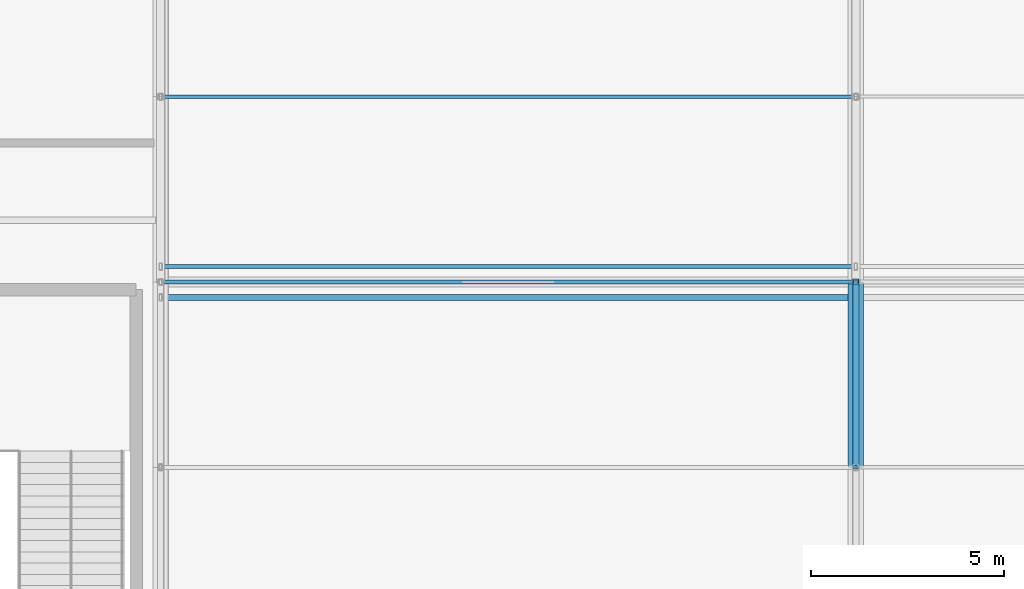
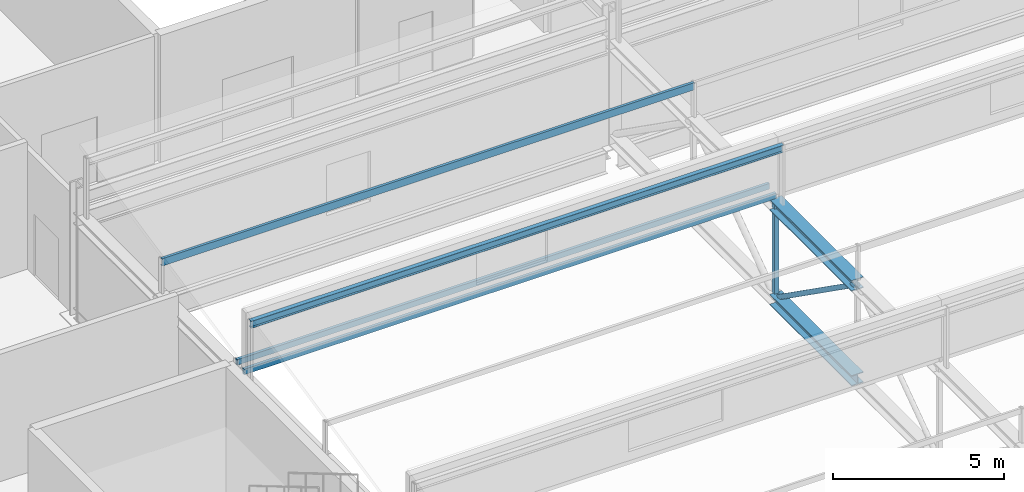
# One storey, part 42 of 136: 6 members, 2 beams.
"""IFC4 building model written with IfcOpenShell, lengths in metres."""

import ifcopenshell
import ifcopenshell.guid

model = None  # the IFC model being written
_history = None  # IfcOwnerHistory: only IFC2X3 demands one
_inside = {}  # id of a spatial element -> (the spatial element, [elements in it])
_under = {}  # id of a project, library or spatial element -> (it, [spatial elements below it])
_declared = {}  # id of a project -> (the project, [libraries it declares])
_typed = {}  # id of a type object -> (the type object, [elements of that type])
_made_of = {}  # id of a material, layer set ... -> (it, [elements and type objects made of it])


def new_model(schema):
    """Start an empty IFC model of exactly this schema.

    Asked for "IFC4X3", IfcOpenShell would pick the latest addendum, in which some entities
    have other attributes; the version numbers below select the first issue.
    IFC2X3 requires an IfcOwnerHistory on every rooted entity: one is made here for all.
    """
    global model, _history
    if schema == "IFC4X3":
        model = ifcopenshell.file(schema_version=(4, 3, 0, 0))
    else:
        model = ifcopenshell.file(schema=schema)
    _inside.clear()
    _under.clear()
    _declared.clear()
    _typed.clear()
    _made_of.clear()
    _history = None
    if model.schema == "IFC2X3":
        org = make("IfcOrganization", Name="unknown")
        user = make(
            "IfcPersonAndOrganization",
            ThePerson=make("IfcPerson", FamilyName="unknown"),
            TheOrganization=org,
        )
        app = make(
            "IfcApplication",
            ApplicationDeveloper=org,
            Version="unknown",
            ApplicationFullName="unknown",
            ApplicationIdentifier="unknown",
        )
        _history = make(
            "IfcOwnerHistory",
            OwningUser=user,
            OwningApplication=app,
            ChangeAction="ADDED",
            CreationDate=0,
        )
    return model


def make(cls, **values):
    """One entity of the class cls with the attributes given. An attribute that is None is left unset."""
    return model.create_entity(
        cls, **{name: value for name, value in values.items() if value is not None}
    )


def rooted(cls, **values):
    """An entity with a GlobalId (a new one), such as an element, a storey or a relation."""
    return make(cls, GlobalId=ifcopenshell.guid.new(), OwnerHistory=_history, **values)


def si_unit(unit_type, name, prefix=None):
    """IfcSIUnit, for example si_unit("LENGTHUNIT", "METRE", prefix="MILLI")."""
    return make("IfcSIUnit", UnitType=unit_type, Prefix=prefix, Name=name)


def assignment(units):
    """IfcUnitAssignment: the units of a project."""
    return None if units is None else make("IfcUnitAssignment", Units=units)


def point(xyz):
    """IfcCartesianPoint."""
    return None if xyz is None else make("IfcCartesianPoint", Coordinates=xyz)


def direction(xyz):
    """IfcDirection."""
    return None if xyz is None else make("IfcDirection", DirectionRatios=xyz)


def frame(location, z_axis=None, x_axis=None):
    """IfcAxis2Placement3D, a coordinate frame: its origin and axes. An axis left out is left unset."""
    return make(
        "IfcAxis2Placement3D",
        Location=point(location),
        Axis=direction(z_axis),
        RefDirection=direction(x_axis),
    )


def frame_2d(location, x_axis=None):
    """IfcAxis2Placement2D, a coordinate frame in the plane: its origin and x axis."""
    return make(
        "IfcAxis2Placement2D", Location=point(location), RefDirection=direction(x_axis)
    )


def origin():
    """The frame at (0, 0, 0) with its axes left unset."""
    return frame((0.0, 0.0, 0.0))


def origin_2d():
    """The frame at (0, 0) in the plane with its x axis left unset."""
    return frame_2d((0.0, 0.0))


def place(relative_to, where):
    """IfcLocalPlacement: puts the frame where relative to a parent placement (None: the world)."""
    return make(
        "IfcLocalPlacement", PlacementRelTo=relative_to, RelativePlacement=where
    )


def context(
    kind, dimensions, precision=None, world=None, true_north=None, identifier=None
):
    """IfcGeometricRepresentationContext, for example the 3D "Model" context."""
    return make(
        "IfcGeometricRepresentationContext",
        ContextIdentifier=identifier,
        ContextType=kind,
        CoordinateSpaceDimension=dimensions,
        Precision=precision,
        WorldCoordinateSystem=world,
        TrueNorth=true_north,
    )


def subcontext(parent, identifier, kind, view, scale=None):
    """IfcGeometricRepresentationSubContext, for example "Body" below "Model"."""
    return make(
        "IfcGeometricRepresentationSubContext",
        ContextIdentifier=identifier,
        ContextType=kind,
        ParentContext=parent,
        TargetScale=scale,
        TargetView=view,
    )


def project(units=None, contexts=None):
    """IfcProject with its units and contexts."""
    return rooted(
        "IfcProject",
        Name="project",
        RepresentationContexts=contexts,
        UnitsInContext=assignment(units),
    )


def spatial(cls, under=None, at=None, **own):
    """A site, building, storey or space (cls), placed at a placement, below another one or the project."""
    s = rooted(cls, ObjectPlacement=at, **own)
    if under is not None:
        _under.setdefault(under.id(), (under, []))[1].append(s)
    return s


def profile(cls, at=None, kind="AREA", **sizes):
    """A parametric profile (cls). Its sizes go by their IFC names, for example OverallWidth=200.0."""
    return make(cls, ProfileType=kind, Position=at, **sizes)


def hollow_rectangle(**sizes):
    """IfcRectangleHollowProfileDef."""
    return profile("IfcRectangleHollowProfileDef", **sizes)


def hollow_circle(**sizes):
    """IfcCircleHollowProfileDef."""
    return profile("IfcCircleHollowProfileDef", **sizes)


def i_section(**sizes):
    """IfcIShapeProfileDef."""
    return profile("IfcIShapeProfileDef", **sizes)


def u_section(**sizes):
    """IfcUShapeProfileDef."""
    return profile("IfcUShapeProfileDef", **sizes)


def extrude(swept, where, along, depth):
    """IfcExtrudedAreaSolid: the profile swept, set in the frame where, extruded along a direction by depth."""
    return make(
        "IfcExtrudedAreaSolid",
        SweptArea=swept,
        Position=where,
        ExtrudedDirection=direction(along),
        Depth=depth,
    )


def shape(context_of_items, identifier, shape_type, items):
    """IfcShapeRepresentation: the items that make up one representation, for example the "Body"."""
    return make(
        "IfcShapeRepresentation",
        ContextOfItems=context_of_items,
        RepresentationIdentifier=identifier,
        RepresentationType=shape_type,
        Items=items,
    )


def material(Name=None, Category=None):
    """IfcMaterial."""
    return make("IfcMaterial", Name=Name, Category=Category)


def material_profile(
    of_material, cross_section, Name=None, Category=None, Priority=None
):
    """IfcMaterialProfile: a cross section and its material."""
    return make(
        "IfcMaterialProfile",
        Name=Name,
        Material=of_material,
        Profile=cross_section,
        Priority=Priority,
        Category=Category,
    )


def profile_set(profiles, Name=None, composite=None):
    """IfcMaterialProfileSet."""
    return make(
        "IfcMaterialProfileSet",
        Name=Name,
        MaterialProfiles=profiles,
        CompositeProfile=composite,
    )


def made_of(thing, what):
    """Note that an element or type object is made of a material, layer set ...; save() writes the relation."""
    if what is not None:
        _made_of.setdefault(what.id(), (what, []))[1].append(thing)
    return thing


def type_object(cls, material=None, **own):
    """A type object (cls), such as IfcWallType, which elements share."""
    return made_of(rooted(cls, **own), material)


def element(
    cls,
    number,
    at=None,
    inside=None,
    cuts=None,
    type_object=None,
    material=None,
    context=None,
    identifier="Body",
    shape_type=None,
    held_by="IfcProductDefinitionShape",
    body=None,
    shapes=None,
    **own,
):
    """One element of the class cls, such as IfcWall. Its Tag is "e" and its number.

    at: its placement. inside: the storey or other place that contains it. cuts: it is an
    opening in that element (IfcRelVoidsElement). A single representation is given by context,
    identifier, shape_type and body (its items); several are given by shapes. held_by: the class
    of the entity that holds the representations. save() writes the other relations.
    """
    e = rooted(cls, Tag="e%d" % number, ObjectPlacement=at, **own)
    if body is not None:
        shapes = [shape(context, identifier, shape_type, body)]
    if shapes is not None:
        e.Representation = make(held_by, Representations=shapes)
    if inside is not None:
        _inside.setdefault(inside.id(), (inside, []))[1].append(e)
    if cuts is not None:
        rooted(
            "IfcRelVoidsElement", RelatingBuildingElement=cuts, RelatedOpeningElement=e
        )
    if type_object is not None:
        _typed.setdefault(type_object.id(), (type_object, []))[1].append(e)
    return made_of(e, material)


def aggregate(whole, parts):
    """IfcRelAggregates: a whole, such as a stair, and the parts it consists of."""
    return rooted("IfcRelAggregates", RelatingObject=whole, RelatedObjects=parts)


def save(model, path):
    """Write the relations noted so far, then the file.

    IfcRelAggregates (storeys below a building ...), IfcRelContainedInSpatialStructure (elements
    in a storey), IfcRelDefinesByType, IfcRelAssociatesMaterial and IfcRelDeclares: one each for
    every whole, place, type object, material and project.
    """
    for whole, parts in _under.values():
        aggregate(whole, parts)
    for where, things in _inside.values():
        rooted(
            "IfcRelContainedInSpatialStructure",
            RelatedElements=things,
            RelatingStructure=where,
        )
    for kind, things in _typed.values():
        rooted("IfcRelDefinesByType", RelatedObjects=things, RelatingType=kind)
    for what, things in _made_of.values():
        rooted("IfcRelAssociatesMaterial", RelatedObjects=things, RelatingMaterial=what)
    for by, libraries in _declared.values():
        rooted("IfcRelDeclares", RelatingContext=by, RelatedDefinitions=libraries)
    model.write(path)


model = new_model("IFC4")

# Units and contexts
model_context = context("Model", 3, precision=1e-05, world=origin(), true_north=direction((0.0, 1.0)))
body_context = subcontext(model_context, "Body", "Model", "MODEL_VIEW")
ifc_project = project(units=[si_unit("LENGTHUNIT", "METRE"), si_unit("AREAUNIT", "SQUARE_METRE"), si_unit("VOLUMEUNIT", "CUBIC_METRE"), si_unit("PLANEANGLEUNIT", "RADIAN"), si_unit("MASSUNIT", "GRAM", prefix="KILO")], contexts=[model_context])

# Site, building, storey
site_placement = place(None, origin())
site = spatial("IfcSite", under=ifc_project, at=site_placement, CompositionType="ELEMENT")
building_placement = place(site_placement, origin())
building = spatial("IfcBuilding", under=site, at=building_placement, Name="Kisiwana Market Hall", CompositionType="ELEMENT")
storey_placement = place(building_placement, frame((0.0, 0.0, 16.800048828125)))
storey = spatial("IfcBuildingStorey", under=building, at=storey_placement, Name="L03", CompositionType="ELEMENT", Elevation=16.800048828125)

# Beams
ifc_material_1 = material(Name="Steel S355", Category="steel")
ifc_material_profile_1 = material_profile(ifc_material_1, i_section(OverallWidth=0.394775390625, OverallDepth=0.381103515625, WebThickness=0.018310546875, FlangeThickness=0.0302734375, at=origin_2d()), Name="UC 356x406x235")
ifc_profile_set_1 = profile_set([ifc_material_profile_1], Name="Steel S355")
beam_type_1 = type_object("IfcBeamType", Name="BM-TRUSS-BOT", PredefinedType="USERDEFINED", material=ifc_profile_set_1)
beam_1_placement = place(storey_placement, frame((63.0, 69.60009765625, 0.22998046875), z_axis=(0.0, 1.0, 0.0), x_axis=(-1.0, 0.0, 0.0)))
element("IfcBeam", 1, at=beam_1_placement, inside=storey, type_object=beam_type_1, Name="TR-02 BC panel 8 B-1205", ObjectType="ROOF TRUSS", PredefinedType="USERDEFINED", context=body_context, shape_type="SweptSolid", body=[
    extrude(i_section(OverallWidth=0.394775390625, OverallDepth=0.381103515625, WebThickness=0.018310546875, FlangeThickness=0.0302734375, at=origin_2d()), origin(), (0.0, 0.0, 1.0), 4.7998046875),
])
ifc_material_2 = material(Name="Steel S355", Category="steel")
ifc_material_profile_2 = material_profile(ifc_material_2, i_section(OverallWidth=0.39892578125, OverallDepth=0.3935546875, WebThickness=0.022705078125, FlangeThickness=0.03662109375, at=origin_2d()), Name="UC 356x406x287")
ifc_profile_set_2 = profile_set([ifc_material_profile_2], Name="Steel S355")
beam_type_2 = type_object("IfcBeamType", Name="BM-TRUSS-TOP", PredefinedType="USERDEFINED", material=ifc_profile_set_2)
beam_2_placement = place(storey_placement, frame((63.0, 69.60009765625, 3.619873046875), z_axis=(0.0, 1.0, 0.0), x_axis=(-1.0, 0.0, 0.0)))
element("IfcBeam", 2, at=beam_2_placement, inside=storey, type_object=beam_type_2, Name="TR-02 TC panel 8 B-1215", ObjectType="ROOF TRUSS", PredefinedType="USERDEFINED", context=body_context, shape_type="SweptSolid", body=[
    extrude(i_section(OverallWidth=0.39892578125, OverallDepth=0.3935546875, WebThickness=0.022705078125, FlangeThickness=0.03662109375, at=origin_2d()), origin(), (0.0, 0.0, 1.0), 4.7998046875),
])

# Members
ifc_material_3 = material(Name="Steel S355", Category="steel")
ifc_material_profile_3 = material_profile(ifc_material_3, u_section(Depth=0.260009765625, FlangeWidth=0.090087890625, WebThickness=0.008056640625, FlangeThickness=0.013916015625, at=origin_2d()), Name="PFC 260x90x35")
ifc_profile_set_3 = profile_set([ifc_material_profile_3], Name="Steel S355")
member_type_1 = type_object("IfcMemberType", Name="MB-PURL-PFC260", PredefinedType="PURLIN", material=ifc_profile_set_3)
member_1_placement = place(storey_placement, frame((45.0, 79.199951171875, 4.90625), z_axis=(1.0, 0.0, 0.0), x_axis=(0.0, 1.0, 0.0)))
element("IfcMember", 3, at=member_1_placement, inside=storey, type_object=member_type_1, Name="Sawtooth mid-slope roof purlin 67 M-0119", PredefinedType="PURLIN", context=body_context, shape_type="SweptSolid", body=[
    extrude(u_section(Depth=0.260009765625, FlangeWidth=0.090087890625, WebThickness=0.008056640625, FlangeThickness=0.013916015625, at=origin_2d()), origin(), (0.0, 0.0, 1.0), 18.0),
])
ifc_material_4 = material(Name="Steel S355", Category="steel")
ifc_material_profile_4 = material_profile(ifc_material_4, hollow_rectangle(XDim=0.10009765625, YDim=0.199951171875, WallThickness=0.008056640625, at=origin_2d()), Name="RHS 200x100x8.0")
ifc_profile_set_4 = profile_set([ifc_material_profile_4], Name="Steel S355")
member_type_2 = type_object("IfcMemberType", Name="MB-ROOF-PURLIN1", PredefinedType="PURLIN", material=ifc_profile_set_4)
for number, where, z_axis, x_axis, name in (
    (4, (45.0, 74.39990234375, 3.90087890625), (1.0, 0.0, 0.0), (0.0, 1.0, 0.0), "Sawtooth roof purlin 314 M-0191"),
    (5, (45.0, 74.800048828125, 4.0009765625), (1.0, 0.0, 0.0), (0.0, 1.0, 0.0), "Sawtooth roof purlin 349 M-0210"),
):
    element("IfcMember", number, at=place(storey_placement, frame(where, z_axis=z_axis, x_axis=x_axis)), inside=storey, type_object=member_type_2, Name=name, PredefinedType="PURLIN", context=body_context, shape_type="SweptSolid", body=[
        extrude(hollow_rectangle(XDim=0.10009765625, YDim=0.199951171875, WallThickness=0.008056640625, at=origin_2d()), origin(), (0.0, 0.0, 1.0), 18.0),
    ])
ifc_material_5 = material(Name="Steel S355", Category="steel")
ifc_material_profile_5 = material_profile(ifc_material_5, i_section(OverallWidth=0.146484375, OverallDepth=0.256103515625, WebThickness=0.00634765625, FlangeThickness=0.010986328125, at=origin_2d()), Name="UB 254x146x37")
ifc_profile_set_5 = profile_set([ifc_material_profile_5], Name="Steel S355")
member_type_3 = type_object("IfcMemberType", Name="MB-ROOF-PURLIN2", PredefinedType="PURLIN", material=ifc_profile_set_5)
member_2_placement = place(storey_placement, frame((45.0, 74.0, 5.843505859375), z_axis=(1.0, 0.0, 0.0), x_axis=(0.0, 1.0, 0.0)))
element("IfcMember", 6, at=member_2_placement, inside=storey, type_object=member_type_3, Name="Sawtooth roof purlin 313 M-0190", PredefinedType="PURLIN", context=body_context, shape_type="SweptSolid", body=[
    extrude(i_section(OverallWidth=0.146484375, OverallDepth=0.256103515625, WebThickness=0.00634765625, FlangeThickness=0.010986328125, at=origin_2d()), origin(), (0.0, 0.0, 1.0), 18.0),
])
ifc_material_6 = material(Name="Steel S355", Category="steel")
ifc_material_profile_6 = material_profile(ifc_material_6, hollow_circle(Radius=0.084228515625, WallThickness=0.010009765625, at=origin_2d()), Name="CHS 168.3x10.0")
ifc_profile_set_6 = profile_set([ifc_material_profile_6], Name="Steel S355")
member_type_4 = type_object("IfcMemberType", Name="MB-TR-DIAG168", PredefinedType="BRACE", material=ifc_profile_set_6)
member_3_placement = place(storey_placement, frame((63.0, 69.60009765625, 3.619873046875), z_axis=(0.0, 0.816823908826, -0.576887079046), x_axis=(-1.0, 0.0, 0.0)))
element("IfcMember", 7, at=member_3_placement, inside=storey, type_object=member_type_4, Name="TR-02 diagonal 8 M-0362", PredefinedType="BRACE", context=body_context, shape_type="SweptSolid", body=[
    extrude(hollow_circle(Radius=0.084228515625, WallThickness=0.010009765625, at=origin_2d()), origin(), (0.0, 0.0, 1.0), 5.876220703125),
])
ifc_material_7 = material(Name="Steel S355", Category="steel")
ifc_material_profile_7 = material_profile(ifc_material_7, hollow_rectangle(XDim=0.14990234375, YDim=0.14990234375, WallThickness=0.008056640625, at=origin_2d()), Name="SHS 150x150x8.0")
ifc_profile_set_7 = profile_set([ifc_material_profile_7], Name="Steel S355")
member_type_5 = type_object("IfcMemberType", Name="MB-TR-STRUT200", PredefinedType="STRUT", material=ifc_profile_set_7)
member_4_placement = place(storey_placement, frame((63.0, 74.39990234375, 0.22998046875), z_axis=(0.0, 0.0, 1.0), x_axis=(1.0, 0.0, 0.0)))
element("IfcMember", 8, at=member_4_placement, inside=storey, type_object=member_type_5, Name="TR-02 vertical strut 9 M-0372", PredefinedType="STRUT", context=body_context, shape_type="SweptSolid", body=[
    extrude(hollow_rectangle(XDim=0.14990234375, YDim=0.14990234375, WallThickness=0.008056640625, at=origin_2d()), origin(), (0.0, 0.0, 1.0), 3.389892578125),
])

save(model, "model.ifc")
